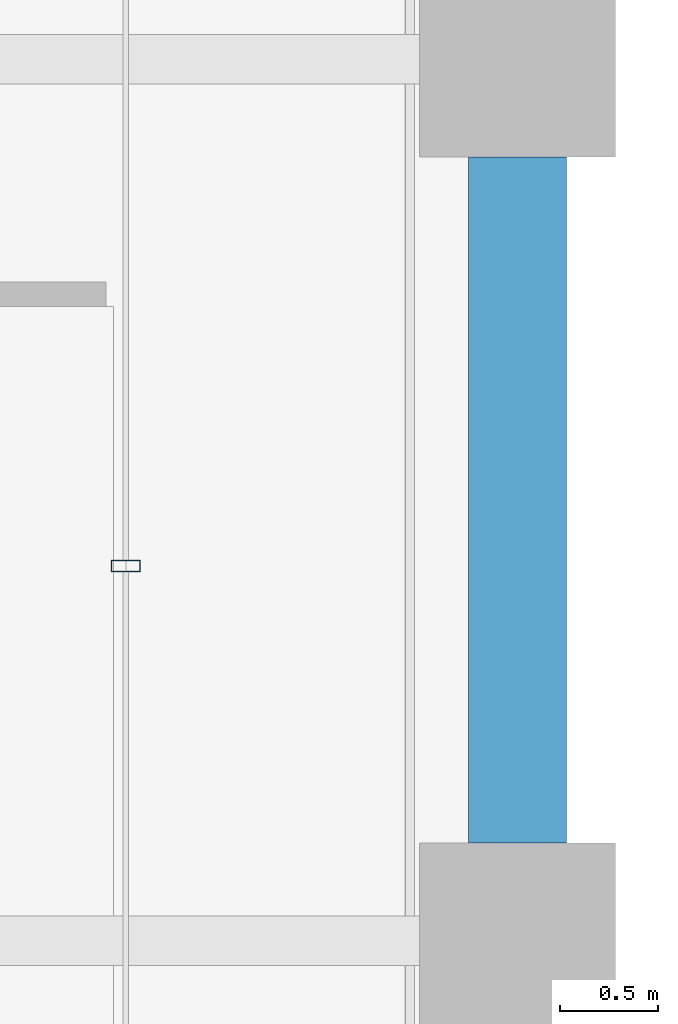
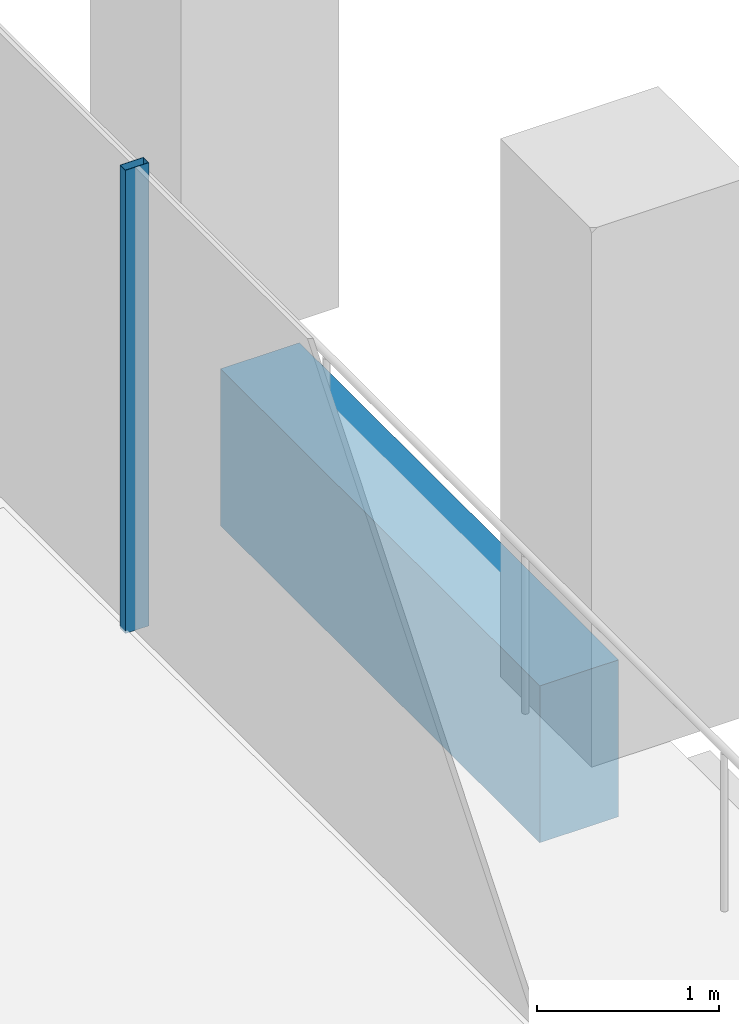
# One storey, part 17 of 46: 1 beam, 1 member, 1 element without a shape of its own.
"""IFC4 building model written with IfcOpenShell, lengths in metres."""

import ifcopenshell
import ifcopenshell.guid

model = None  # the IFC model being written
_history = None  # IfcOwnerHistory: only IFC2X3 demands one
_inside = {}  # id of a spatial element -> (the spatial element, [elements in it])
_under = {}  # id of a project, library or spatial element -> (it, [spatial elements below it])
_declared = {}  # id of a project -> (the project, [libraries it declares])
_typed = {}  # id of a type object -> (the type object, [elements of that type])
_made_of = {}  # id of a material, layer set ... -> (it, [elements and type objects made of it])


def new_model(schema):
    """Start an empty IFC model of exactly this schema.

    Asked for "IFC4X3", IfcOpenShell would pick the latest addendum, in which some entities
    have other attributes; the version numbers below select the first issue.
    IFC2X3 requires an IfcOwnerHistory on every rooted entity: one is made here for all.
    """
    global model, _history
    if schema == "IFC4X3":
        model = ifcopenshell.file(schema_version=(4, 3, 0, 0))
    else:
        model = ifcopenshell.file(schema=schema)
    _inside.clear()
    _under.clear()
    _declared.clear()
    _typed.clear()
    _made_of.clear()
    _history = None
    if model.schema == "IFC2X3":
        org = make("IfcOrganization", Name="unknown")
        user = make(
            "IfcPersonAndOrganization",
            ThePerson=make("IfcPerson", FamilyName="unknown"),
            TheOrganization=org,
        )
        app = make(
            "IfcApplication",
            ApplicationDeveloper=org,
            Version="unknown",
            ApplicationFullName="unknown",
            ApplicationIdentifier="unknown",
        )
        _history = make(
            "IfcOwnerHistory",
            OwningUser=user,
            OwningApplication=app,
            ChangeAction="ADDED",
            CreationDate=0,
        )
    return model


def make(cls, **values):
    """One entity of the class cls with the attributes given. An attribute that is None is left unset."""
    return model.create_entity(
        cls, **{name: value for name, value in values.items() if value is not None}
    )


def rooted(cls, **values):
    """An entity with a GlobalId (a new one), such as an element, a storey or a relation."""
    return make(cls, GlobalId=ifcopenshell.guid.new(), OwnerHistory=_history, **values)


def si_unit(unit_type, name, prefix=None):
    """IfcSIUnit, for example si_unit("LENGTHUNIT", "METRE", prefix="MILLI")."""
    return make("IfcSIUnit", UnitType=unit_type, Prefix=prefix, Name=name)


def assignment(units):
    """IfcUnitAssignment: the units of a project."""
    return None if units is None else make("IfcUnitAssignment", Units=units)


def point(xyz):
    """IfcCartesianPoint."""
    return None if xyz is None else make("IfcCartesianPoint", Coordinates=xyz)


def direction(xyz):
    """IfcDirection."""
    return None if xyz is None else make("IfcDirection", DirectionRatios=xyz)


def frame(location, z_axis=None, x_axis=None):
    """IfcAxis2Placement3D, a coordinate frame: its origin and axes. An axis left out is left unset."""
    return make(
        "IfcAxis2Placement3D",
        Location=point(location),
        Axis=direction(z_axis),
        RefDirection=direction(x_axis),
    )


def frame_2d(location, x_axis=None):
    """IfcAxis2Placement2D, a coordinate frame in the plane: its origin and x axis."""
    return make(
        "IfcAxis2Placement2D", Location=point(location), RefDirection=direction(x_axis)
    )


def origin():
    """The frame at (0, 0, 0) with its axes left unset."""
    return frame((0.0, 0.0, 0.0))


def origin_2d():
    """The frame at (0, 0) in the plane with its x axis left unset."""
    return frame_2d((0.0, 0.0))


def place(relative_to, where):
    """IfcLocalPlacement: puts the frame where relative to a parent placement (None: the world)."""
    return make(
        "IfcLocalPlacement", PlacementRelTo=relative_to, RelativePlacement=where
    )


def context(
    kind, dimensions, precision=None, world=None, true_north=None, identifier=None
):
    """IfcGeometricRepresentationContext, for example the 3D "Model" context."""
    return make(
        "IfcGeometricRepresentationContext",
        ContextIdentifier=identifier,
        ContextType=kind,
        CoordinateSpaceDimension=dimensions,
        Precision=precision,
        WorldCoordinateSystem=world,
        TrueNorth=true_north,
    )


def subcontext(parent, identifier, kind, view, scale=None):
    """IfcGeometricRepresentationSubContext, for example "Body" below "Model"."""
    return make(
        "IfcGeometricRepresentationSubContext",
        ContextIdentifier=identifier,
        ContextType=kind,
        ParentContext=parent,
        TargetScale=scale,
        TargetView=view,
    )


def project(units=None, contexts=None):
    """IfcProject with its units and contexts."""
    return rooted(
        "IfcProject",
        Name="project",
        RepresentationContexts=contexts,
        UnitsInContext=assignment(units),
    )


def spatial(cls, under=None, at=None, **own):
    """A site, building, storey or space (cls), placed at a placement, below another one or the project."""
    s = rooted(cls, ObjectPlacement=at, **own)
    if under is not None:
        _under.setdefault(under.id(), (under, []))[1].append(s)
    return s


def profile(cls, at=None, kind="AREA", **sizes):
    """A parametric profile (cls). Its sizes go by their IFC names, for example OverallWidth=200.0."""
    return make(cls, ProfileType=kind, Position=at, **sizes)


def rectangle(**sizes):
    """IfcRectangleProfileDef."""
    return profile("IfcRectangleProfileDef", **sizes)


def hollow_rectangle(**sizes):
    """IfcRectangleHollowProfileDef."""
    return profile("IfcRectangleHollowProfileDef", **sizes)


def extrude(swept, where, along, depth):
    """IfcExtrudedAreaSolid: the profile swept, set in the frame where, extruded along a direction by depth."""
    return make(
        "IfcExtrudedAreaSolid",
        SweptArea=swept,
        Position=where,
        ExtrudedDirection=direction(along),
        Depth=depth,
    )


def shape(context_of_items, identifier, shape_type, items):
    """IfcShapeRepresentation: the items that make up one representation, for example the "Body"."""
    return make(
        "IfcShapeRepresentation",
        ContextOfItems=context_of_items,
        RepresentationIdentifier=identifier,
        RepresentationType=shape_type,
        Items=items,
    )


def material(Name=None, Category=None):
    """IfcMaterial."""
    return make("IfcMaterial", Name=Name, Category=Category)


def material_profile(
    of_material, cross_section, Name=None, Category=None, Priority=None
):
    """IfcMaterialProfile: a cross section and its material."""
    return make(
        "IfcMaterialProfile",
        Name=Name,
        Material=of_material,
        Profile=cross_section,
        Priority=Priority,
        Category=Category,
    )


def profile_set(profiles, Name=None, composite=None):
    """IfcMaterialProfileSet."""
    return make(
        "IfcMaterialProfileSet",
        Name=Name,
        MaterialProfiles=profiles,
        CompositeProfile=composite,
    )


def made_of(thing, what):
    """Note that an element or type object is made of a material, layer set ...; save() writes the relation."""
    if what is not None:
        _made_of.setdefault(what.id(), (what, []))[1].append(thing)
    return thing


def type_object(cls, material=None, **own):
    """A type object (cls), such as IfcWallType, which elements share."""
    return made_of(rooted(cls, **own), material)


def element(
    cls,
    number,
    at=None,
    inside=None,
    cuts=None,
    type_object=None,
    material=None,
    context=None,
    identifier="Body",
    shape_type=None,
    held_by="IfcProductDefinitionShape",
    body=None,
    shapes=None,
    **own,
):
    """One element of the class cls, such as IfcWall. Its Tag is "e" and its number.

    at: its placement. inside: the storey or other place that contains it. cuts: it is an
    opening in that element (IfcRelVoidsElement). A single representation is given by context,
    identifier, shape_type and body (its items); several are given by shapes. held_by: the class
    of the entity that holds the representations. save() writes the other relations.
    """
    e = rooted(cls, Tag="e%d" % number, ObjectPlacement=at, **own)
    if body is not None:
        shapes = [shape(context, identifier, shape_type, body)]
    if shapes is not None:
        e.Representation = make(held_by, Representations=shapes)
    if inside is not None:
        _inside.setdefault(inside.id(), (inside, []))[1].append(e)
    if cuts is not None:
        rooted(
            "IfcRelVoidsElement", RelatingBuildingElement=cuts, RelatedOpeningElement=e
        )
    if type_object is not None:
        _typed.setdefault(type_object.id(), (type_object, []))[1].append(e)
    return made_of(e, material)


def aggregate(whole, parts):
    """IfcRelAggregates: a whole, such as a stair, and the parts it consists of."""
    return rooted("IfcRelAggregates", RelatingObject=whole, RelatedObjects=parts)


def save(model, path):
    """Write the relations noted so far, then the file.

    IfcRelAggregates (storeys below a building ...), IfcRelContainedInSpatialStructure (elements
    in a storey), IfcRelDefinesByType, IfcRelAssociatesMaterial and IfcRelDeclares: one each for
    every whole, place, type object, material and project.
    """
    for whole, parts in _under.values():
        aggregate(whole, parts)
    for where, things in _inside.values():
        rooted(
            "IfcRelContainedInSpatialStructure",
            RelatedElements=things,
            RelatingStructure=where,
        )
    for kind, things in _typed.values():
        rooted("IfcRelDefinesByType", RelatedObjects=things, RelatingType=kind)
    for what, things in _made_of.values():
        rooted("IfcRelAssociatesMaterial", RelatedObjects=things, RelatingMaterial=what)
    for by, libraries in _declared.values():
        rooted("IfcRelDeclares", RelatingContext=by, RelatedDefinitions=libraries)
    model.write(path)


model = new_model("IFC4")

# Units and contexts
model_context = context("Model", 3, precision=1e-05, world=origin(), true_north=direction((0.0, 1.0)))
body_context = subcontext(model_context, "Body", "Model", "MODEL_VIEW")
ifc_project = project(units=[si_unit("LENGTHUNIT", "METRE"), si_unit("AREAUNIT", "SQUARE_METRE"), si_unit("VOLUMEUNIT", "CUBIC_METRE"), si_unit("PLANEANGLEUNIT", "RADIAN"), si_unit("MASSUNIT", "GRAM", prefix="KILO")], contexts=[model_context])

# Site, building, storey
site_placement = place(None, origin())
site = spatial("IfcSite", under=ifc_project, at=site_placement, CompositionType="ELEMENT")
building_placement = place(site_placement, origin())
building = spatial("IfcBuilding", under=site, at=building_placement, Name="Altepetl Exchange Towers", CompositionType="ELEMENT")
storey_placement = place(building_placement, frame((0.0, 0.0, 124.39990234375)))
storey = spatial("IfcBuildingStorey", under=building, at=storey_placement, Name="L30", CompositionType="ELEMENT", Elevation=124.39990234375)

# Curtain wall, member
ifc_material_1 = material(Name="Aluminium 6063-T6 glazing", Category="aluminium")
curtain_wall_type = type_object("IfcCurtainWallType", Name="Loggia glazing system", PredefinedType="NOTDEFINED", material=ifc_material_1)
curtain_wall_placement = place(storey_placement, origin())
curtain_wall = element("IfcCurtainWall", 1, at=curtain_wall_placement, inside=storey, type_object=curtain_wall_type, Name="CW1 run", PredefinedType="NOTDEFINED")
ifc_material_2 = material(Name="Aluminium 6063-T6", Category="aluminium")
ifc_material_profile_1 = material_profile(ifc_material_2, hollow_rectangle(XDim=0.06005859375, YDim=0.14990234375, WallThickness=0.0029296875, at=origin_2d()), Name="Mullion 60x150 aluminium")
ifc_profile_set_1 = profile_set([ifc_material_profile_1], Name="Aluminium 6063-T6")
member_type = type_object("IfcMemberType", Name="Mullion 60x150 aluminium", PredefinedType="MULLION", material=ifc_profile_set_1)
member_placement = place(storey_placement, frame((70.0, 46.9130859375, 0.0), z_axis=(0.0, 0.0, 1.0), x_axis=(0.0, 1.0, 0.0)))
member = element("IfcMember", 2, at=member_placement, type_object=member_type, Name="MU1 mullion", PredefinedType="MULLION", context=body_context, shape_type="SweptSolid", body=[
    extrude(hollow_rectangle(XDim=0.06005859375, YDim=0.14990234375, WallThickness=0.0029296875, at=origin_2d()), origin(), (0.0, 0.0, 1.0), 3.10009765625),
])
aggregate(curtain_wall, [member])

# Beam
ifc_material_3 = material(Name="Concrete C50/60 precast with cantera amarilla facing", Category="concrete")
ifc_material_profile_2 = material_profile(ifc_material_3, rectangle(XDim=0.5, YDim=1.050048828125, at=origin_2d()), Name="500 x 1050")
ifc_profile_set_2 = profile_set([ifc_material_profile_2], Name="Concrete C50/60 precast with cantera amarilla facing")
beam_type = type_object("IfcBeamType", Name="Spandrel beam 500x1050 cantera amarilla", PredefinedType="SPANDREL", material=ifc_profile_set_2)
beam_placement = place(storey_placement, frame((72.0, 45.5, -0.6748046875), z_axis=(0.0, 1.0, 0.0), x_axis=(-1.0, 0.0, 0.0)))
element("IfcBeam", 3, at=beam_placement, inside=storey, type_object=beam_type, Name="sp:A:L30:015", PredefinedType="SPANDREL", context=body_context, shape_type="SweptSolid", body=[
    extrude(rectangle(XDim=0.5, YDim=1.050048828125, at=origin_2d()), origin(), (0.0, 0.0, 1.0), 3.5),
])

save(model, "model.ifc")
